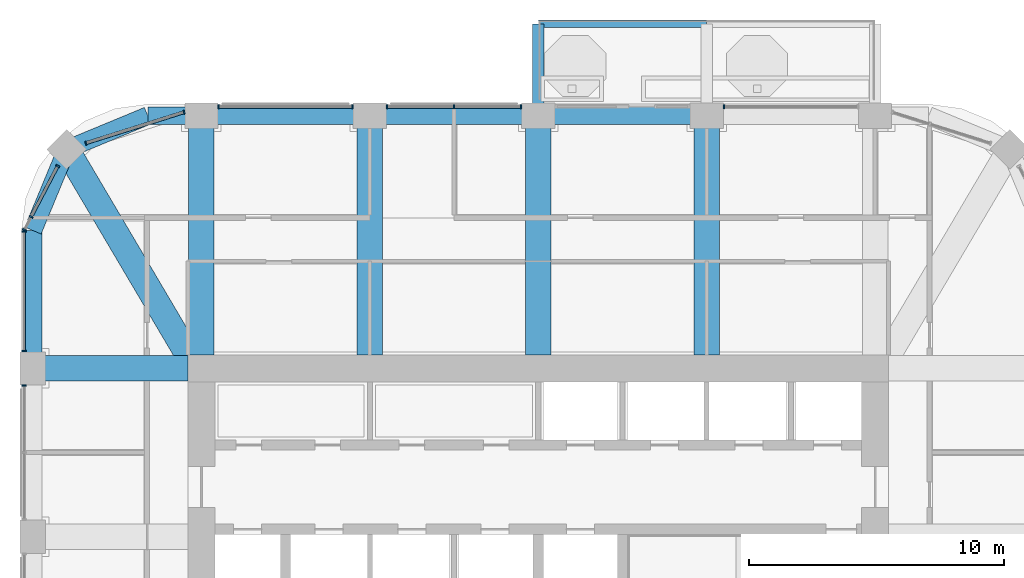
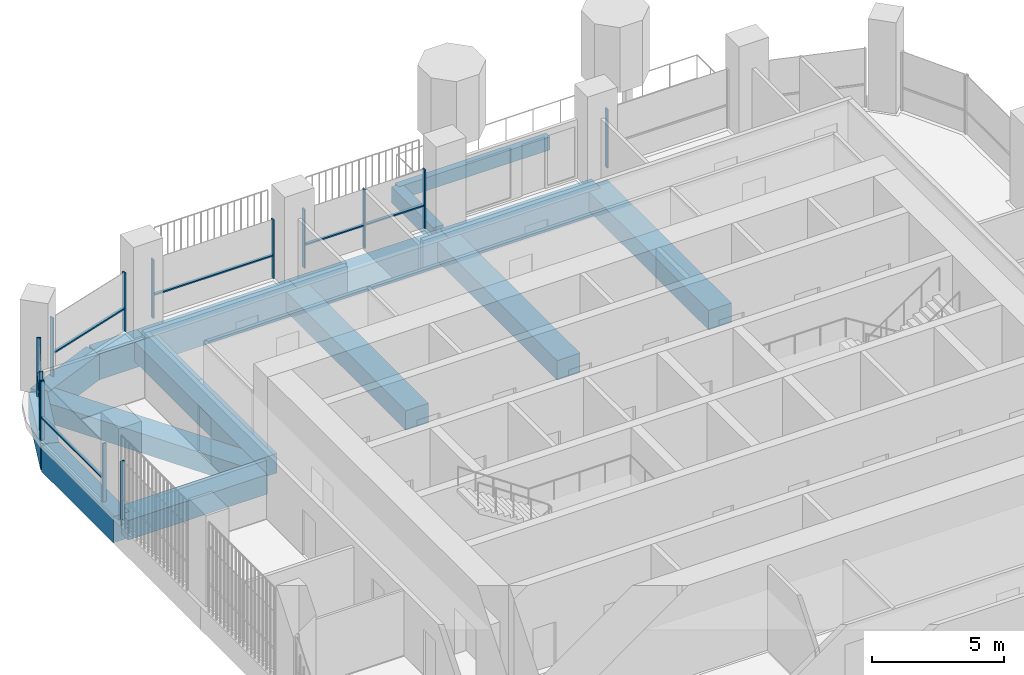
# One storey, part 6 of 20: 20 members, 15 beams, 7 elements without a shape of their own.
"""IFC4 building model written with IfcOpenShell, lengths in metres."""

from ifc_helpers import new_model, si_unit, direction, frame, origin, origin_2d, place, context, subcontext, project, spatial, rectangle, extrude, material, material_profile, profile_set, type_object, element, aggregate, save


model = new_model("IFC4")

# Units and contexts
model_context = context("Model", 3, precision=1e-05, world=origin(), true_north=direction((0.0, 1.0)))
body_context = subcontext(model_context, "Body", "Model", "MODEL_VIEW")
ifc_project = project(units=[si_unit("LENGTHUNIT", "METRE"), si_unit("AREAUNIT", "SQUARE_METRE"), si_unit("VOLUMEUNIT", "CUBIC_METRE"), si_unit("PLANEANGLEUNIT", "RADIAN"), si_unit("MASSUNIT", "GRAM", prefix="KILO")], contexts=[model_context])

# Site, building, storey
site_placement = place(None, origin())
site = spatial("IfcSite", under=ifc_project, at=site_placement, CompositionType="ELEMENT")
building_placement = place(site_placement, origin())
building = spatial("IfcBuilding", under=site, at=building_placement, Name="Cobogo Forest Laboratory Tower", CompositionType="ELEMENT")
storey_placement = place(building_placement, frame((0.0, 0.0, 233.39990234375)))
storey = spatial("IfcBuildingStorey", under=building, at=storey_placement, Name="L53", CompositionType="ELEMENT", Elevation=233.39990234375)

# Beams
ifc_material_1 = material(Name="Concrete HA-40 (C40/50)", Category="concrete")
ifc_material_profile_1 = material_profile(ifc_material_1, rectangle(XDim=0.449951171875, YDim=0.75, at=origin_2d()), Name="RC 450x750")
ifc_profile_set_1 = profile_set([ifc_material_profile_1], Name="Concrete HA-40 (C40/50)")
beam_type_1 = type_object("IfcBeamType", Name="Balcony cantilever beam 450x750", PredefinedType="BEAM", material=ifc_profile_set_1)
beam_1_placement = place(storey_placement, frame((26.39990234375, 43.35009765625, -0.625), z_axis=(0.0, 1.0, 0.0), x_axis=(-1.0, 0.0, 0.0)))
element("IfcBeam", 1, at=beam_1_placement, inside=storey, type_object=beam_type_1, Name="CB1 BAL-N1-C1 L53", PredefinedType="BEAM", context=body_context, shape_type="SweptSolid", body=[
    extrude(rectangle(XDim=0.449951171875, YDim=0.75, at=origin_2d()), origin(), (0.0, 0.0, 1.0), 3.14990234375),
])
ifc_material_profile_2 = material_profile(ifc_material_1, rectangle(XDim=0.300048828125, YDim=0.60009765625, at=origin_2d()), Name="RC 300x600")
ifc_profile_set_2 = profile_set([ifc_material_profile_2], Name="Concrete HA-40 (C40/50)")
beam_type_2 = type_object("IfcBeamType", Name="Balcony edge beam 300x600", PredefinedType="BEAM", material=ifc_profile_set_2)
beam_2_placement = place(storey_placement, frame((26.39990234375, 46.5, -0.5498046875), z_axis=(1.0, 0.0, 0.0), x_axis=(0.0, 1.0, 0.0)))
element("IfcBeam", 2, at=beam_2_placement, inside=storey, type_object=beam_type_2, Name="BB1 BAL-N1-T1 L53", PredefinedType="BEAM", context=body_context, shape_type="SweptSolid", body=[
    extrude(rectangle(XDim=0.300048828125, YDim=0.60009765625, at=origin_2d()), origin(), (0.0, 0.0, 1.0), 6.60009765625),
])

# Curtain wall, member
ifc_material_2 = material(Name="Aluminium curtain wall", Category="aluminium")
curtain_wall_type = type_object("IfcCurtainWallType", Name="CW-2 unitised curtain wall, solar control glazing, laboratory floors zones C and D", PredefinedType="USERDEFINED", material=ifc_material_2)
curtain_wall_1_placement = place(storey_placement, origin())
curtain_wall_1 = element("IfcCurtainWall", 3, at=curtain_wall_1_placement, inside=storey, type_object=curtain_wall_type, Name="Curtain wall 14 L53", ObjectType="UNITISED CURTAIN WALL", PredefinedType="USERDEFINED")
ifc_material_3 = material(Name="Aluminium mullion", Category="aluminium")
ifc_material_profile_3 = material_profile(ifc_material_3, rectangle(XDim=0.06005859375, YDim=0.159912109375, at=origin_2d()), Name="AL 60x160")
ifc_profile_set_3 = profile_set([ifc_material_profile_3], Name="Aluminium mullion")
member_type_1 = type_object("IfcMemberType", Name="MU-1 aluminium mullion 60x160", PredefinedType="MULLION", material=ifc_profile_set_3)
member_1_placement = place(storey_placement, frame((33.679931640625, 43.25, 0.0), z_axis=(0.0, 0.0, 1.0), x_axis=(-1.0, 0.0, 0.0)))
member_1 = element("IfcMember", 4, at=member_1_placement, type_object=member_type_1, Name="CW-2 mullion 2", PredefinedType="MULLION", context=body_context, shape_type="SweptSolid", body=[
    extrude(rectangle(XDim=0.06005859375, YDim=0.159912109375, at=origin_2d()), origin(), (0.0, 0.0, 1.0), 2.7001953125),
])
aggregate(curtain_wall_1, [member_1])

# Curtain wall, members
curtain_wall_2_placement = place(storey_placement, origin())
curtain_wall_2 = element("IfcCurtainWall", 5, at=curtain_wall_2_placement, inside=storey, type_object=curtain_wall_type, Name="Curtain wall 16 L53", ObjectType="UNITISED CURTAIN WALL", PredefinedType="USERDEFINED")
member_2_placement = place(storey_placement, frame((25.719970703125, 43.25, 0.0), z_axis=(0.0, 0.0, 1.0), x_axis=(-1.0, 0.0, 0.0)))
member_2 = element("IfcMember", 6, at=member_2_placement, type_object=member_type_1, Name="CW-2 mullion 1", PredefinedType="MULLION", context=body_context, shape_type="SweptSolid", body=[
    extrude(rectangle(XDim=0.06005859375, YDim=0.159912109375, at=origin_2d()), origin(), (0.0, 0.0, 1.0), 2.7001953125),
])
member_3_placement = place(storey_placement, frame((23.10009765625, 43.25, 0.0), z_axis=(0.0, 0.0, 1.0), x_axis=(-1.0, 0.0, 0.0)))
member_3 = element("IfcMember", 7, at=member_3_placement, type_object=member_type_1, Name="CW-2 mullion 2", PredefinedType="MULLION", context=body_context, shape_type="SweptSolid", body=[
    extrude(rectangle(XDim=0.06005859375, YDim=0.159912109375, at=origin_2d()), origin(), (0.0, 0.0, 1.0), 2.7001953125),
])
member_4_placement = place(storey_placement, frame((20.47998046875, 43.25, 0.0), z_axis=(0.0, 0.0, 1.0), x_axis=(-1.0, 0.0, 0.0)))
member_4 = element("IfcMember", 8, at=member_4_placement, type_object=member_type_1, Name="CW-2 mullion 3", PredefinedType="MULLION", context=body_context, shape_type="SweptSolid", body=[
    extrude(rectangle(XDim=0.06005859375, YDim=0.159912109375, at=origin_2d()), origin(), (0.0, 0.0, 1.0), 2.7001953125),
])

curtain_wall_3_placement = place(storey_placement, origin())
curtain_wall_3 = element("IfcCurtainWall", 9, at=curtain_wall_3_placement, inside=storey, type_object=curtain_wall_type, Name="Curtain wall 17 L53", ObjectType="UNITISED CURTAIN WALL", PredefinedType="USERDEFINED")
member_5_placement = place(storey_placement, frame((19.1201171875, 43.25, 0.0), z_axis=(0.0, 0.0, 1.0), x_axis=(-1.0, 0.0, 0.0)))
member_5 = element("IfcMember", 10, at=member_5_placement, type_object=member_type_1, Name="CW-2 mullion 1", PredefinedType="MULLION", context=body_context, shape_type="SweptSolid", body=[
    extrude(rectangle(XDim=0.06005859375, YDim=0.159912109375, at=origin_2d()), origin(), (0.0, 0.0, 1.0), 2.7001953125),
])
member_6_placement = place(storey_placement, frame((13.8798828125, 43.25, 0.0), z_axis=(0.0, 0.0, 1.0), x_axis=(-1.0, 0.0, 0.0)))
member_6 = element("IfcMember", 11, at=member_6_placement, type_object=member_type_1, Name="CW-2 mullion 2", PredefinedType="MULLION", context=body_context, shape_type="SweptSolid", body=[
    extrude(rectangle(XDim=0.06005859375, YDim=0.159912109375, at=origin_2d()), origin(), (0.0, 0.0, 1.0), 2.7001953125),
])

curtain_wall_4_placement = place(storey_placement, origin())
curtain_wall_4 = element("IfcCurtainWall", 12, at=curtain_wall_4_placement, inside=storey, type_object=curtain_wall_type, Name="Curtain wall 18 L53", ObjectType="UNITISED CURTAIN WALL", PredefinedType="USERDEFINED")
member_7_placement = place(storey_placement, frame((12.521484375, 43.03564453125, 0.0), z_axis=(0.0, 0.0, 1.0), x_axis=(-0.953581331491, -0.301135591107, 0.0)))
member_7 = element("IfcMember", 13, at=member_7_placement, type_object=member_type_1, Name="CW-2 mullion 1", PredefinedType="MULLION", context=body_context, shape_type="SweptSolid", body=[
    extrude(rectangle(XDim=0.06005859375, YDim=0.159912109375, at=origin_2d()), origin(), (0.0, 0.0, 1.0), 2.7001953125),
])
member_8_placement = place(storey_placement, frame((8.677490234375, 41.82177734375, 0.0), z_axis=(0.0, 0.0, 1.0), x_axis=(-0.953581331491, -0.301135591107, 0.0)))
member_8 = element("IfcMember", 14, at=member_8_placement, type_object=member_type_1, Name="CW-2 mullion 2", PredefinedType="MULLION", context=body_context, shape_type="SweptSolid", body=[
    extrude(rectangle(XDim=0.06005859375, YDim=0.159912109375, at=origin_2d()), origin(), (0.0, 0.0, 1.0), 2.7001953125),
])

curtain_wall_5_placement = place(storey_placement, origin())
curtain_wall_5 = element("IfcCurtainWall", 15, at=curtain_wall_5_placement, inside=storey, type_object=curtain_wall_type, Name="Curtain wall 19 L53", ObjectType="UNITISED CURTAIN WALL", PredefinedType="USERDEFINED")
member_9_placement = place(storey_placement, frame((7.5732421875, 40.924560546875, 0.0), z_axis=(0.0, 0.0, 1.0), x_axis=(-0.464283804832, -0.885686484356, 0.0)))
member_9 = element("IfcMember", 16, at=member_9_placement, type_object=member_type_1, Name="CW-2 mullion 1", PredefinedType="MULLION", context=body_context, shape_type="SweptSolid", body=[
    extrude(rectangle(XDim=0.06005859375, YDim=0.159912109375, at=origin_2d()), origin(), (0.0, 0.0, 1.0), 2.7001953125),
])
member_10_placement = place(storey_placement, frame((6.531494140625, 38.937255859375, 0.0), z_axis=(0.0, 0.0, 1.0), x_axis=(-0.464283804832, -0.885686484356, 0.0)))
member_10 = element("IfcMember", 17, at=member_10_placement, type_object=member_type_1, Name="CW-2 mullion 2", PredefinedType="MULLION", context=body_context, shape_type="SweptSolid", body=[
    extrude(rectangle(XDim=0.06005859375, YDim=0.159912109375, at=origin_2d()), origin(), (0.0, 0.0, 1.0), 2.7001953125),
])
member_11_placement = place(storey_placement, frame((6.263916015625, 38.426513671875, 0.0), z_axis=(0.0, 0.0, 1.0), x_axis=(-0.464283804832, -0.885686484356, 0.0)))
member_11 = element("IfcMember", 18, at=member_11_placement, type_object=member_type_1, Name="CW-2 mullion 3", PredefinedType="MULLION", context=body_context, shape_type="SweptSolid", body=[
    extrude(rectangle(XDim=0.06005859375, YDim=0.159912109375, at=origin_2d()), origin(), (0.0, 0.0, 1.0), 2.7001953125),
])

curtain_wall_6_placement = place(storey_placement, origin())
curtain_wall_6 = element("IfcCurtainWall", 19, at=curtain_wall_6_placement, inside=storey, type_object=curtain_wall_type, Name="Curtain wall 20 L53", ObjectType="UNITISED CURTAIN WALL", PredefinedType="USERDEFINED")
member_12_placement = place(storey_placement, frame((6.25, 38.3701171875, 0.0), z_axis=(0.0, 0.0, 1.0), x_axis=(0.0, -1.0, 0.0)))
member_12 = element("IfcMember", 20, at=member_12_placement, type_object=member_type_1, Name="CW-2 mullion 1", PredefinedType="MULLION", context=body_context, shape_type="SweptSolid", body=[
    extrude(rectangle(XDim=0.06005859375, YDim=0.159912109375, at=origin_2d()), origin(), (0.0, 0.0, 1.0), 2.7001953125),
])
member_13_placement = place(storey_placement, frame((6.25, 33.679931640625, 0.0), z_axis=(0.0, 0.0, 1.0), x_axis=(0.0, -1.0, 0.0)))
member_13 = element("IfcMember", 21, at=member_13_placement, type_object=member_type_1, Name="CW-2 mullion 2", PredefinedType="MULLION", context=body_context, shape_type="SweptSolid", body=[
    extrude(rectangle(XDim=0.06005859375, YDim=0.159912109375, at=origin_2d()), origin(), (0.0, 0.0, 1.0), 2.7001953125),
])

# Curtain wall, member
curtain_wall_7_placement = place(storey_placement, origin())
curtain_wall_7 = element("IfcCurtainWall", 22, at=curtain_wall_7_placement, inside=storey, type_object=curtain_wall_type, Name="Curtain wall 21 L53", ObjectType="UNITISED CURTAIN WALL", PredefinedType="USERDEFINED")
member_14_placement = place(storey_placement, frame((6.25, 32.320068359375, 0.0), z_axis=(0.0, 0.0, 1.0), x_axis=(0.0, -1.0, 0.0)))
member_14 = element("IfcMember", 23, at=member_14_placement, type_object=member_type_1, Name="CW-2 mullion 1", PredefinedType="MULLION", context=body_context, shape_type="SweptSolid", body=[
    extrude(rectangle(XDim=0.06005859375, YDim=0.159912109375, at=origin_2d()), origin(), (0.0, 0.0, 1.0), 2.7001953125),
])
aggregate(curtain_wall_7, [member_14])

# Beams
ifc_material_profile_4 = material_profile(ifc_material_1, rectangle(XDim=1.0, YDim=0.89990234375, at=origin_2d()), Name="RC 1000x900")
ifc_profile_set_4 = profile_set([ifc_material_profile_4], Name="Concrete HA-40 (C40/50)")
beam_type_3 = type_object("IfcBeamType", Name="Office floor wide beam 1000x900", PredefinedType="BEAM", material=ifc_profile_set_4)
for number, where, z_axis, x_axis, name in (
    (24, (13.199951171875, 33.52490234375, -0.75), (0.0, 1.0, 0.0), (-1.0, 0.0, 0.0), "RB2 R-3-N L53"),
    (25, (19.800048828125, 33.52490234375, -0.75), (0.0, 1.0, 0.0), (-1.0, 0.0, 0.0), "RB2 R-4-N L53"),
    (26, (26.39990234375, 33.52490234375, -0.75), (0.0, 1.0, 0.0), (-1.0, 0.0, 0.0), "RB2 R-5-N L53"),
    (27, (33.0, 33.52490234375, -0.75), (0.0, 1.0, 0.0), (-1.0, 0.0, 0.0), "RB2 R-6-N L53"),
):
    element("IfcBeam", number, at=place(storey_placement, frame(where, z_axis=z_axis, x_axis=x_axis)), inside=storey, type_object=beam_type_3, Name=name, PredefinedType="BEAM", context=body_context, shape_type="SweptSolid", body=[
        extrude(rectangle(XDim=1.0, YDim=0.89990234375, at=origin_2d()), origin(), (0.0, 0.0, 1.0), 9.375),
    ])
beam_3_placement = place(storey_placement, frame((12.675048828125, 33.0, -0.75), z_axis=(-1.0, 0.0, 0.0), x_axis=(0.0, -1.0, 0.0)))
element("IfcBeam", 28, at=beam_3_placement, inside=storey, type_object=beam_type_3, Name="RB2 R-F-W L53", PredefinedType="BEAM", context=body_context, shape_type="SweptSolid", body=[
    extrude(rectangle(XDim=1.0, YDim=0.89990234375, at=origin_2d()), origin(), (0.0, 0.0, 1.0), 6.074951171875),
])
beam_4_placement = place(storey_placement, frame((7.91796875, 41.58203125, -0.75), z_axis=(0.508416325908, -0.861111397875, 0.0), x_axis=(0.861111397875, 0.508416325908, 0.0)))
element("IfcBeam", 29, at=beam_4_placement, inside=storey, type_object=beam_type_3, Name="RB2 G-NW-D1 L53", PredefinedType="BEAM", context=body_context, shape_type="SweptSolid", body=[
    extrude(rectangle(XDim=1.0, YDim=0.89990234375, at=origin_2d()), origin(), (0.0, 0.0, 1.0), 9.356689453125),
])
ifc_material_profile_5 = material_profile(ifc_material_1, rectangle(XDim=0.699951171875, YDim=1.199951171875, at=origin_2d()), Name="RC 700x1200")
ifc_profile_set_5 = profile_set([ifc_material_profile_5], Name="Concrete HA-40 (C40/50)")
beam_type_4 = type_object("IfcBeamType", Name="Perimeter edge beam 700x1200", PredefinedType="BEAM", material=ifc_profile_set_5)
beam_5_placement = place(storey_placement, frame((13.199951171875, 42.89990234375, -0.89990234375), z_axis=(1.0, 0.0, 0.0), x_axis=(0.0, 1.0, 0.0)))
element("IfcBeam", 30, at=beam_5_placement, inside=storey, type_object=beam_type_4, Name="EB1 E-N1 L53", PredefinedType="BEAM", context=body_context, shape_type="SweptSolid", body=[
    extrude(rectangle(XDim=0.699951171875, YDim=1.199951171875, at=origin_2d()), origin(), (0.0, 0.0, 1.0), 6.60009765625),
])
beam_6_placement = place(storey_placement, frame((19.800048828125, 42.89990234375, -0.89990234375), z_axis=(1.0, 0.0, 0.0), x_axis=(0.0, 1.0, 0.0)))
element("IfcBeam", 31, at=beam_6_placement, inside=storey, type_object=beam_type_4, Name="EB1 E-N2 L53", PredefinedType="BEAM", context=body_context, shape_type="SweptSolid", body=[
    extrude(rectangle(XDim=0.699951171875, YDim=1.199951171875, at=origin_2d()), origin(), (0.0, 0.0, 1.0), 6.599853515625),
])
beam_7_placement = place(storey_placement, frame((26.39990234375, 42.89990234375, -0.89990234375), z_axis=(1.0, 0.0, 0.0), x_axis=(0.0, 1.0, 0.0)))
element("IfcBeam", 32, at=beam_7_placement, inside=storey, type_object=beam_type_4, Name="EB1 E-N3 L53", PredefinedType="BEAM", context=body_context, shape_type="SweptSolid", body=[
    extrude(rectangle(XDim=0.699951171875, YDim=1.199951171875, at=origin_2d()), origin(), (0.0, 0.0, 1.0), 6.60009765625),
])
beam_8_placement = place(storey_placement, frame((13.199951171875, 42.89990234375, -0.89990234375), z_axis=(-1.0, 0.0, 0.0), x_axis=(0.0, -1.0, 0.0)))
element("IfcBeam", 33, at=beam_8_placement, inside=storey, type_object=beam_type_4, Name="EB1 E-NWN1 L53", PredefinedType="BEAM", context=body_context, shape_type="SweptSolid", body=[
    extrude(rectangle(XDim=0.699951171875, YDim=1.199951171875, at=origin_2d()), origin(), (0.0, 0.0, 1.0), 2.099853515625),
])
beam_9_placement = place(storey_placement, frame((11.10009765625, 42.89990234375, -0.89990234375), z_axis=(-0.923901072997, -0.382631424892, 0.0), x_axis=(0.382631424892, -0.923901072997, 0.0)))
element("IfcBeam", 34, at=beam_9_placement, inside=storey, type_object=beam_type_4, Name="EB1 E-NWN2 L53", PredefinedType="BEAM", context=body_context, shape_type="SweptSolid", body=[
    extrude(rectangle(XDim=0.699951171875, YDim=1.199951171875, at=origin_2d()), origin(), (0.0, 0.0, 1.0), 3.4443359375),
])
beam_10_placement = place(storey_placement, frame((6.60009765625, 33.0, -0.89990234375), z_axis=(0.0, 1.0, 0.0), x_axis=(-1.0, 0.0, 0.0)))
element("IfcBeam", 35, at=beam_10_placement, inside=storey, type_object=beam_type_4, Name="EB1 E-NWW1 L53", PredefinedType="BEAM", context=body_context, shape_type="SweptSolid", body=[
    extrude(rectangle(XDim=0.699951171875, YDim=1.199951171875, at=origin_2d()), origin(), (0.0, 0.0, 1.0), 5.39990234375),
])
beam_11_placement = place(storey_placement, frame((6.60009765625, 38.39990234375, -0.89990234375), z_axis=(0.382631424892, 0.923901072997, 0.0), x_axis=(-0.923901072997, 0.382631424892, 0.0)))
element("IfcBeam", 36, at=beam_11_placement, inside=storey, type_object=beam_type_4, Name="EB1 E-NWW2 L53", PredefinedType="BEAM", context=body_context, shape_type="SweptSolid", body=[
    extrude(rectangle(XDim=0.699951171875, YDim=1.199951171875, at=origin_2d()), origin(), (0.0, 0.0, 1.0), 3.4443359375),
])

# Member
ifc_material_4 = material(Name="Aluminium transom", Category="aluminium")
ifc_material_profile_6 = material_profile(ifc_material_4, rectangle(XDim=0.1201171875, YDim=0.06005859375, at=origin_2d()), Name="AL 60x120")
ifc_profile_set_6 = profile_set([ifc_material_profile_6], Name="Aluminium transom")
member_type_2 = type_object("IfcMemberType", Name="TR-1 aluminium transom 60x120", PredefinedType="USERDEFINED", material=ifc_profile_set_6)
member_15_placement = place(storey_placement, frame((25.68994140625, 43.25, 1.050048828125), z_axis=(-1.0, 0.0, 0.0), x_axis=(0.0, -1.0, 0.0)))
member_15 = element("IfcMember", 37, at=member_15_placement, type_object=member_type_2, Name="CW-2 transom 1.1", ObjectType="TRANSOM", PredefinedType="USERDEFINED", context=body_context, shape_type="SweptSolid", body=[
    extrude(rectangle(XDim=0.1201171875, YDim=0.06005859375, at=origin_2d()), origin(), (0.0, 0.0, 1.0), 2.56005859375),
])

member_16_placement = place(storey_placement, frame((23.070068359375, 43.25, 1.050048828125), z_axis=(-1.0, 0.0, 0.0), x_axis=(0.0, -1.0, 0.0)))
member_16 = element("IfcMember", 38, at=member_16_placement, type_object=member_type_2, Name="CW-2 transom 2.1", ObjectType="TRANSOM", PredefinedType="USERDEFINED", context=body_context, shape_type="SweptSolid", body=[
    extrude(rectangle(XDim=0.1201171875, YDim=0.06005859375, at=origin_2d()), origin(), (0.0, 0.0, 1.0), 2.56005859375),
])

aggregate(curtain_wall_2, [member_2, member_3, member_4, member_15, member_16])

member_17_placement = place(storey_placement, frame((19.090087890625, 43.25, 1.050048828125), z_axis=(-1.0, 0.0, 0.0), x_axis=(0.0, -1.0, 0.0)))
member_17 = element("IfcMember", 39, at=member_17_placement, type_object=member_type_2, Name="CW-2 transom 1.1", ObjectType="TRANSOM", PredefinedType="USERDEFINED", context=body_context, shape_type="SweptSolid", body=[
    extrude(rectangle(XDim=0.1201171875, YDim=0.06005859375, at=origin_2d()), origin(), (0.0, 0.0, 1.0), 5.18017578125),
])

aggregate(curtain_wall_3, [member_5, member_6, member_17])

member_18_placement = place(storey_placement, frame((12.49267578125, 43.026611328125, 1.050048828125), z_axis=(-0.953580806728, -0.301137252827, 0.0), x_axis=(0.301137252827, -0.953580806728, 0.0)))
member_18 = element("IfcMember", 40, at=member_18_placement, type_object=member_type_2, Name="CW-2 transom 1.1", ObjectType="TRANSOM", PredefinedType="USERDEFINED", context=body_context, shape_type="SweptSolid", body=[
    extrude(rectangle(XDim=0.1201171875, YDim=0.06005859375, at=origin_2d()), origin(), (0.0, 0.0, 1.0), 3.970947265625),
])

aggregate(curtain_wall_4, [member_7, member_8, member_18])

member_19_placement = place(storey_placement, frame((7.559326171875, 40.89794921875, 1.050048828125), z_axis=(-0.464257605101, -0.885700217967, 0.0), x_axis=(0.885700217967, -0.464257605101, 0.0)))
member_19 = element("IfcMember", 41, at=member_19_placement, type_object=member_type_2, Name="CW-2 transom 1.1", ObjectType="TRANSOM", PredefinedType="USERDEFINED", context=body_context, shape_type="SweptSolid", body=[
    extrude(rectangle(XDim=0.1201171875, YDim=0.06005859375, at=origin_2d()), origin(), (0.0, 0.0, 1.0), 2.183837890625),
])

aggregate(curtain_wall_5, [member_9, member_10, member_11, member_19])

member_20_placement = place(storey_placement, frame((6.25, 38.340087890625, 1.050048828125), z_axis=(0.0, -1.0, 0.0), x_axis=(1.0, 0.0, 0.0)))
member_20 = element("IfcMember", 42, at=member_20_placement, type_object=member_type_2, Name="CW-2 transom 1.1", ObjectType="TRANSOM", PredefinedType="USERDEFINED", context=body_context, shape_type="SweptSolid", body=[
    extrude(rectangle(XDim=0.1201171875, YDim=0.06005859375, at=origin_2d()), origin(), (0.0, 0.0, 1.0), 4.630126953125),
])

aggregate(curtain_wall_6, [member_12, member_13, member_20])

save(model, "model.ifc")
